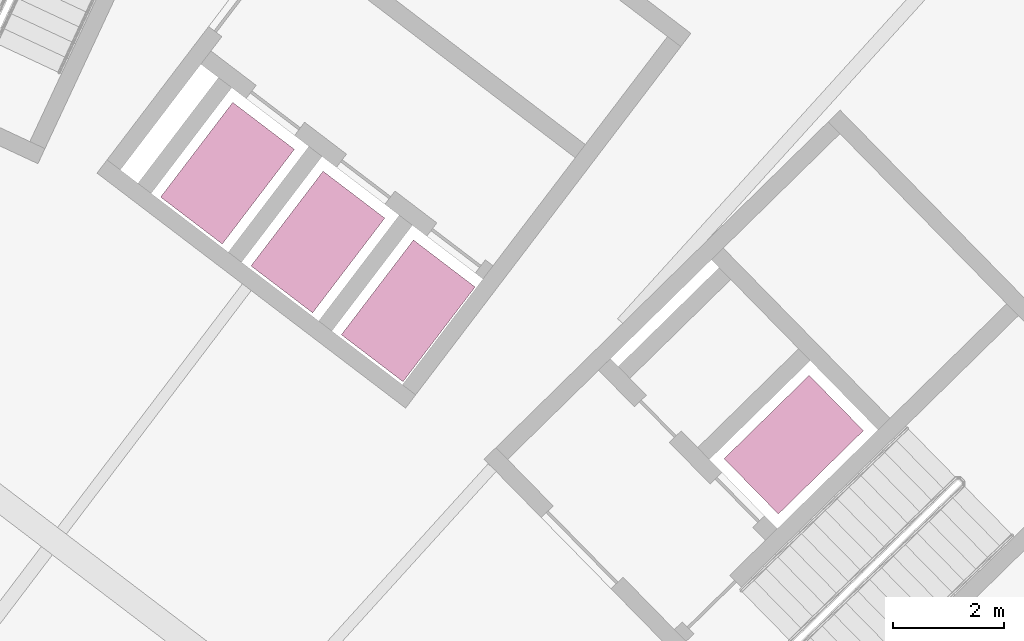
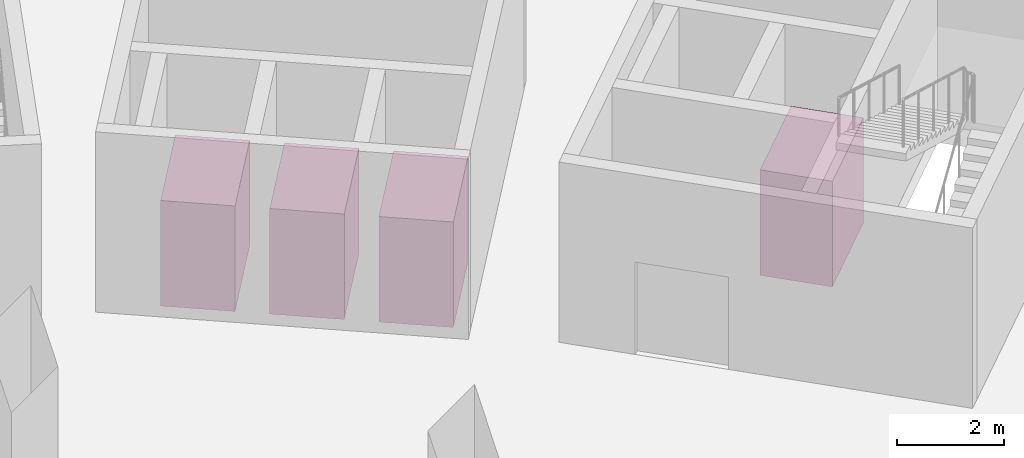
# One storey, part 11 of 11: 4 transport elements.
"""IFC4 building model written with IfcOpenShell, lengths in metres."""

from ifc_helpers import new_model, si_unit, direction, frame, origin, origin_2d, place, context, subcontext, project, spatial, rectangle, extrude, material, type_object, element, save


model = new_model("IFC4")

# Units and contexts
model_context = context("Model", 3, precision=1e-05, world=origin(), true_north=direction((0.0, 1.0)))
body_context = subcontext(model_context, "Body", "Model", "MODEL_VIEW")
ifc_project = project(units=[si_unit("LENGTHUNIT", "METRE"), si_unit("AREAUNIT", "SQUARE_METRE"), si_unit("VOLUMEUNIT", "CUBIC_METRE"), si_unit("PLANEANGLEUNIT", "RADIAN"), si_unit("MASSUNIT", "GRAM", prefix="KILO")], contexts=[model_context])

# Site, building, storey
site_placement = place(None, origin())
site = spatial("IfcSite", under=ifc_project, at=site_placement, CompositionType="ELEMENT")
building_placement = place(site_placement, origin())
building = spatial("IfcBuilding", under=site, at=building_placement, Name="Tuul Gate Civic Tower", CompositionType="ELEMENT")
storey_placement = place(building_placement, frame((0.0, 0.0, -4.5)))
storey = spatial("IfcBuildingStorey", under=building, at=storey_placement, Name="Basement 1", CompositionType="ELEMENT", Elevation=-4.5)

# Transport elements
ifc_material = material(Name="Stainless steel", Category="steel")
transport_element_type = type_object("IfcTransportElementType", Name="Lift car", PredefinedType="ELEVATOR", material=ifc_material)
for number, where, z_axis, x_axis, name in (
    (1, (41.148681640625, -10.042236328125, 0.0), (0.0, 0.0, 1.0), (-0.795572889181, 0.605857885976, 0.0), "Low-rise lift L1"),
    (2, (39.517822265625, -8.80029296875, 0.0), (0.0, 0.0, 1.0), (-0.795572889181, 0.605857885976, 0.0), "Low-rise lift L2"),
    (3, (37.886962890625, -7.55810546875, 0.0), (0.0, 0.0, 1.0), (-0.795572889181, 0.605857885976, 0.0), "Low-rise lift L3"),
    (4, (48.10693359375, -12.45751953125, 0.0), (0.0, 0.0, 1.0), (-0.700008674982, 0.714134339567, 0.0), "Low-rise lift L4"),
):
    element("IfcTransportElement", number, at=place(storey_placement, frame(where, z_axis=z_axis, x_axis=x_axis)), inside=storey, type_object=transport_element_type, Name=name, PredefinedType="ELEVATOR", context=body_context, shape_type="SweptSolid", body=[
        extrude(rectangle(XDim=1.39990234375, YDim=2.14990234375, at=origin_2d()), origin(), (0.0, 0.0, 1.0), 2.39990234375),
    ])

save(model, "model.ifc")
